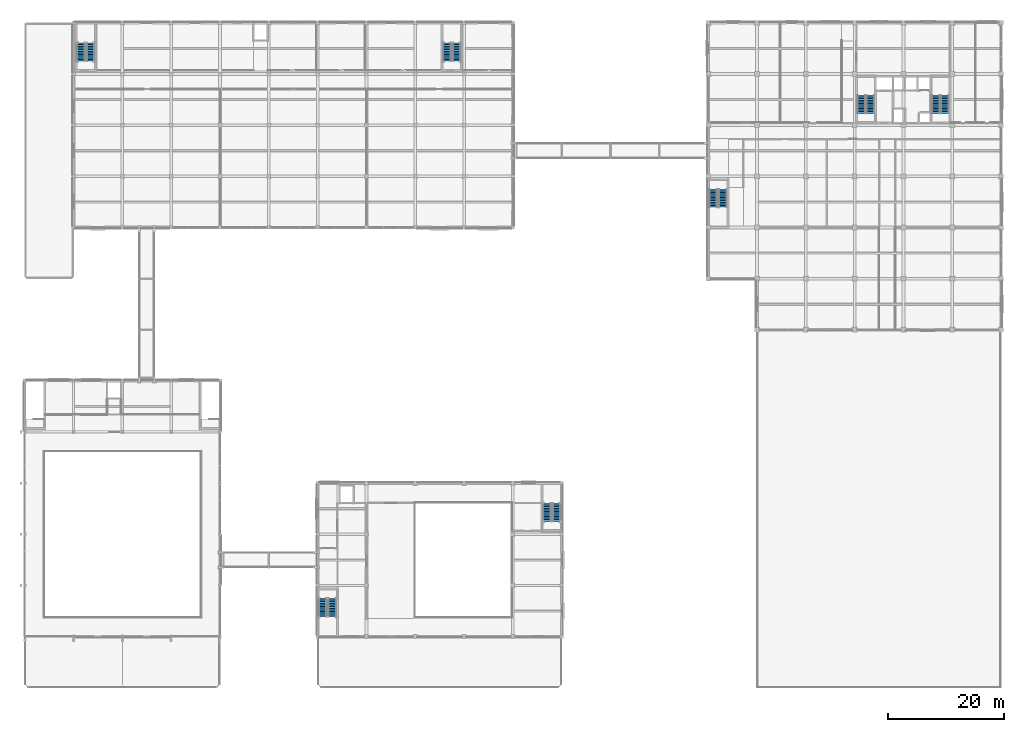
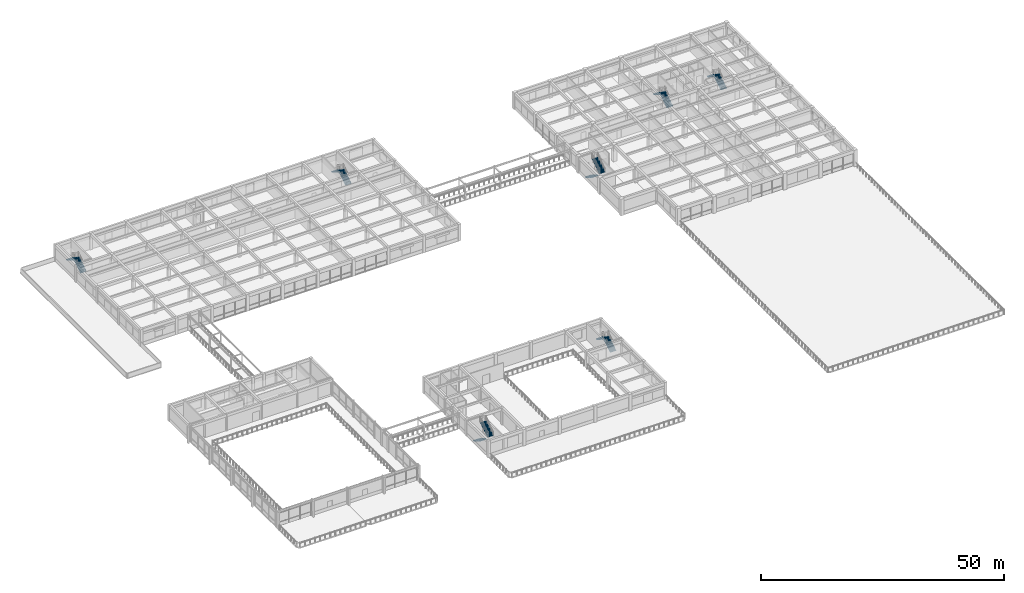
# One storey, part 41 of 57: 14 stair flights, 7 elements without a shape of their own.
"""IFC4 building model written with IfcOpenShell, lengths in metres."""

from ifc_helpers import new_model, si_unit, direction, frame, origin, place, context, subcontext, project, spatial, polyline, outline, extrude, material, type_object, element, aggregate, save


model = new_model("IFC4")

# Units and contexts
model_context = context("Model", 3, precision=1e-05, world=origin(), true_north=direction((0.0, 1.0)))
body_context = subcontext(model_context, "Body", "Model", "MODEL_VIEW")
ifc_project = project(units=[si_unit("LENGTHUNIT", "METRE"), si_unit("AREAUNIT", "SQUARE_METRE"), si_unit("VOLUMEUNIT", "CUBIC_METRE"), si_unit("PLANEANGLEUNIT", "RADIAN"), si_unit("MASSUNIT", "GRAM", prefix="KILO")], contexts=[model_context])

# Site, building, storey
site_placement = place(None, origin())
site = spatial("IfcSite", under=ifc_project, at=site_placement, CompositionType="ELEMENT")
building_placement = place(site_placement, origin())
building = spatial("IfcBuilding", under=site, at=building_placement, Name="Kemercrest Conservatory and Botanical Centre", CompositionType="ELEMENT")
storey_placement = place(building_placement, frame((0.0, 0.0, 4.800048828125)))
storey = spatial("IfcBuildingStorey", under=building, at=storey_placement, Name="L01", CompositionType="ELEMENT", Elevation=4.800048828125)

# Stair, stair flights
ifc_material = material(Name="Concrete C40/50", Category="concrete")
stair_type_1 = type_object("IfcStairType", Name="ST-140-42", PredefinedType="HALF_TURN_STAIR", material=ifc_material)
stair_1_placement = place(storey_placement, origin())
stair_1 = element("IfcStair", 1, at=stair_1_placement, inside=storey, type_object=stair_type_1, Name="L01 Exit stair ST-V2A", PredefinedType="HALF_TURN_STAIR")
stair_flight_type_1 = type_object("IfcStairFlightType", Name="FL-140-42", PredefinedType="STRAIGHT", material=ifc_material)
stair_flight_1_placement = place(storey_placement, frame((59.260009765625, 23.360107421875, 0.0), z_axis=(0.0, 0.0, 1.0), x_axis=(0.0, -1.0, 0.0)))
stair_flight_1 = element("IfcStairFlight", 2, at=stair_flight_1_placement, type_object=stair_flight_type_1, Name="ST-V2A flight 1", NumberOfRisers=12, NumberOfTreads=11, PredefinedType="STRAIGHT", RiserHeight=0.175, TreadLength=0.28, context=body_context, shape_type="SweptSolid", body=[
    extrude(outline(polyline([(0.0, 0.0), (0.0, 0.175048828125), (0.280029296875, 0.175048828125), (0.280029296875, 0.35009765625), (0.56005859375, 0.35009765625), (0.56005859375, 0.52490234375), (0.840087890625, 0.52490234375), (0.840087890625, 0.699951171875), (1.1201171875, 0.699951171875), (1.1201171875, 0.875), (1.39990234375, 0.875), (1.39990234375, 1.050048828125), (1.679931640625, 1.050048828125), (1.679931640625, 1.22509765625), (1.9599609375, 1.22509765625), (1.9599609375, 1.39990234375), (2.239990234375, 1.39990234375), (2.239990234375, 1.574951171875), (2.52001953125, 1.574951171875), (2.52001953125, 1.75), (2.800048828125, 1.75), (2.800048828125, 1.925048828125), (3.080078125, 1.925048828125), (3.080078125, 2.10009765625), (3.080078125, 1.748291015625), (0.28271484375, 0.0), (0.0, 0.0)])), frame((0.0, 0.699951171875, 0.0), z_axis=(0.0, -1.0, 0.0), x_axis=(1.0, 0.0, 0.0)), (0.0, 0.0, 1.0), 1.39990234375),
])
stair_flight_2_placement = place(storey_placement, frame((60.93994140625, 20.280029296875, 2.099853515625), z_axis=(0.0, 0.0, 1.0), x_axis=(0.0, 1.0, 0.0)))
stair_flight_2 = element("IfcStairFlight", 3, at=stair_flight_2_placement, type_object=stair_flight_type_1, Name="ST-V2A flight 2", NumberOfRisers=12, NumberOfTreads=11, PredefinedType="STRAIGHT", RiserHeight=0.175, TreadLength=0.28, context=body_context, shape_type="SweptSolid", body=[
    extrude(outline(polyline([(0.0, 0.0), (0.0, 0.175048828125), (0.280029296875, 0.175048828125), (0.280029296875, 0.35009765625), (0.56005859375, 0.35009765625), (0.56005859375, 0.52490234375), (0.840087890625, 0.52490234375), (0.840087890625, 0.699951171875), (1.1201171875, 0.699951171875), (1.1201171875, 0.875), (1.39990234375, 0.875), (1.39990234375, 1.050048828125), (1.679931640625, 1.050048828125), (1.679931640625, 1.22509765625), (1.9599609375, 1.22509765625), (1.9599609375, 1.39990234375), (2.239990234375, 1.39990234375), (2.239990234375, 1.574951171875), (2.52001953125, 1.574951171875), (2.52001953125, 1.75), (2.800048828125, 1.75), (2.800048828125, 1.925048828125), (3.080078125, 1.925048828125), (3.080078125, 2.10009765625), (3.080078125, 1.748291015625), (0.28271484375, 0.0), (0.0, 0.0)])), frame((0.0, 0.699951171875, 0.0), z_axis=(0.0, -1.0, 0.0), x_axis=(1.0, 0.0, 0.0)), (0.0, 0.0, 1.0), 1.39990234375),
])
aggregate(stair_1, [stair_flight_1, stair_flight_2])

stair_2_placement = place(storey_placement, origin())
stair_2 = element("IfcStair", 4, at=stair_2_placement, inside=storey, type_object=stair_type_1, Name="L01 Exit stair ST-V2B", PredefinedType="HALF_TURN_STAIR")
stair_flight_3_placement = place(storey_placement, frame((99.5400390625, 36.639892578125, 0.0), z_axis=(0.0, 0.0, 1.0), x_axis=(0.0, 1.0, 0.0)))
stair_flight_3 = element("IfcStairFlight", 5, at=stair_flight_3_placement, type_object=stair_flight_type_1, Name="ST-V2B flight 1", NumberOfRisers=12, NumberOfTreads=11, PredefinedType="STRAIGHT", RiserHeight=0.175, TreadLength=0.28, context=body_context, shape_type="SweptSolid", body=[
    extrude(outline(polyline([(0.0, 0.0), (0.0, 0.175048828125), (0.280029296875, 0.175048828125), (0.280029296875, 0.35009765625), (0.56005859375, 0.35009765625), (0.56005859375, 0.52490234375), (0.840087890625, 0.52490234375), (0.840087890625, 0.699951171875), (1.1201171875, 0.699951171875), (1.1201171875, 0.875), (1.39990234375, 0.875), (1.39990234375, 1.050048828125), (1.679931640625, 1.050048828125), (1.679931640625, 1.22509765625), (1.9599609375, 1.22509765625), (1.9599609375, 1.39990234375), (2.239990234375, 1.39990234375), (2.239990234375, 1.574951171875), (2.52001953125, 1.574951171875), (2.52001953125, 1.75), (2.800048828125, 1.75), (2.800048828125, 1.925048828125), (3.080078125, 1.925048828125), (3.080078125, 2.10009765625), (3.080078125, 1.748291015625), (0.28271484375, 0.0), (0.0, 0.0)])), frame((0.0, 0.699951171875, 0.0), z_axis=(0.0, -1.0, 0.0), x_axis=(1.0, 0.0, 0.0)), (0.0, 0.0, 1.0), 1.39990234375),
])
stair_flight_4_placement = place(storey_placement, frame((97.860107421875, 39.719970703125, 2.099853515625), z_axis=(0.0, 0.0, 1.0), x_axis=(0.0, -1.0, 0.0)))
stair_flight_4 = element("IfcStairFlight", 6, at=stair_flight_4_placement, type_object=stair_flight_type_1, Name="ST-V2B flight 2", NumberOfRisers=12, NumberOfTreads=11, PredefinedType="STRAIGHT", RiserHeight=0.175, TreadLength=0.28, context=body_context, shape_type="SweptSolid", body=[
    extrude(outline(polyline([(0.0, 0.0), (0.0, 0.175048828125), (0.280029296875, 0.175048828125), (0.280029296875, 0.35009765625), (0.56005859375, 0.35009765625), (0.56005859375, 0.52490234375), (0.840087890625, 0.52490234375), (0.840087890625, 0.699951171875), (1.1201171875, 0.699951171875), (1.1201171875, 0.875), (1.39990234375, 0.875), (1.39990234375, 1.050048828125), (1.679931640625, 1.050048828125), (1.679931640625, 1.22509765625), (1.9599609375, 1.22509765625), (1.9599609375, 1.39990234375), (2.239990234375, 1.39990234375), (2.239990234375, 1.574951171875), (2.52001953125, 1.574951171875), (2.52001953125, 1.75), (2.800048828125, 1.75), (2.800048828125, 1.925048828125), (3.080078125, 1.925048828125), (3.080078125, 2.10009765625), (3.080078125, 1.748291015625), (0.28271484375, 0.0), (0.0, 0.0)])), frame((0.0, 0.699951171875, 0.0), z_axis=(0.0, -1.0, 0.0), x_axis=(1.0, 0.0, 0.0)), (0.0, 0.0, 1.0), 1.39990234375),
])
aggregate(stair_2, [stair_flight_3, stair_flight_4])

stair_3_placement = place(storey_placement, origin())
stair_3 = element("IfcStair", 7, at=stair_3_placement, inside=storey, type_object=stair_type_1, Name="L01 Exit stair ST-V3A", PredefinedType="HALF_TURN_STAIR")
stair_flight_5_placement = place(storey_placement, frame((19.340087890625, 115.840087890625, 0.0), z_axis=(0.0, 0.0, 1.0), x_axis=(0.0, 1.0, 0.0)))
stair_flight_5 = element("IfcStairFlight", 8, at=stair_flight_5_placement, type_object=stair_flight_type_1, Name="ST-V3A flight 1", NumberOfRisers=12, NumberOfTreads=11, PredefinedType="STRAIGHT", RiserHeight=0.175, TreadLength=0.28, context=body_context, shape_type="SweptSolid", body=[
    extrude(outline(polyline([(0.0, 0.0), (0.0, 0.175048828125), (0.280029296875, 0.175048828125), (0.280029296875, 0.35009765625), (0.56005859375, 0.35009765625), (0.56005859375, 0.52490234375), (0.840087890625, 0.52490234375), (0.840087890625, 0.699951171875), (1.1201171875, 0.699951171875), (1.1201171875, 0.875), (1.39990234375, 0.875), (1.39990234375, 1.050048828125), (1.679931640625, 1.050048828125), (1.679931640625, 1.22509765625), (1.9599609375, 1.22509765625), (1.9599609375, 1.39990234375), (2.239990234375, 1.39990234375), (2.239990234375, 1.574951171875), (2.52001953125, 1.574951171875), (2.52001953125, 1.75), (2.800048828125, 1.75), (2.800048828125, 1.925048828125), (3.080078125, 1.925048828125), (3.080078125, 2.10009765625), (3.080078125, 1.748291015625), (0.28271484375, 0.0), (0.0, 0.0)])), frame((0.0, 0.699951171875, 0.0), z_axis=(0.0, -1.0, 0.0), x_axis=(1.0, 0.0, 0.0)), (0.0, 0.0, 1.0), 1.39990234375),
])
stair_flight_6_placement = place(storey_placement, frame((17.659912109375, 118.919921875, 2.099853515625), z_axis=(0.0, 0.0, 1.0), x_axis=(0.0, -1.0, 0.0)))
stair_flight_6 = element("IfcStairFlight", 9, at=stair_flight_6_placement, type_object=stair_flight_type_1, Name="ST-V3A flight 2", NumberOfRisers=12, NumberOfTreads=11, PredefinedType="STRAIGHT", RiserHeight=0.175, TreadLength=0.28, context=body_context, shape_type="SweptSolid", body=[
    extrude(outline(polyline([(0.0, 0.0), (0.0, 0.175048828125), (0.280029296875, 0.175048828125), (0.280029296875, 0.35009765625), (0.56005859375, 0.35009765625), (0.56005859375, 0.52490234375), (0.840087890625, 0.52490234375), (0.840087890625, 0.699951171875), (1.1201171875, 0.699951171875), (1.1201171875, 0.875), (1.39990234375, 0.875), (1.39990234375, 1.050048828125), (1.679931640625, 1.050048828125), (1.679931640625, 1.22509765625), (1.9599609375, 1.22509765625), (1.9599609375, 1.39990234375), (2.239990234375, 1.39990234375), (2.239990234375, 1.574951171875), (2.52001953125, 1.574951171875), (2.52001953125, 1.75), (2.800048828125, 1.75), (2.800048828125, 1.925048828125), (3.080078125, 1.925048828125), (3.080078125, 2.10009765625), (3.080078125, 1.748291015625), (0.28271484375, 0.0), (0.0, 0.0)])), frame((0.0, 0.699951171875, 0.0), z_axis=(0.0, -1.0, 0.0), x_axis=(1.0, 0.0, 0.0)), (0.0, 0.0, 1.0), 1.39990234375),
])
aggregate(stair_3, [stair_flight_5, stair_flight_6])

stair_4_placement = place(storey_placement, origin())
stair_4 = element("IfcStair", 10, at=stair_4_placement, inside=storey, type_object=stair_type_1, Name="L01 Exit stair ST-V3B", PredefinedType="HALF_TURN_STAIR")
stair_flight_7_placement = place(storey_placement, frame((82.340087890625, 115.840087890625, 0.0), z_axis=(0.0, 0.0, 1.0), x_axis=(0.0, 1.0, 0.0)))
stair_flight_7 = element("IfcStairFlight", 11, at=stair_flight_7_placement, type_object=stair_flight_type_1, Name="ST-V3B flight 1", NumberOfRisers=12, NumberOfTreads=11, PredefinedType="STRAIGHT", RiserHeight=0.175, TreadLength=0.28, context=body_context, shape_type="SweptSolid", body=[
    extrude(outline(polyline([(0.0, 0.0), (0.0, 0.175048828125), (0.280029296875, 0.175048828125), (0.280029296875, 0.35009765625), (0.56005859375, 0.35009765625), (0.56005859375, 0.52490234375), (0.840087890625, 0.52490234375), (0.840087890625, 0.699951171875), (1.1201171875, 0.699951171875), (1.1201171875, 0.875), (1.39990234375, 0.875), (1.39990234375, 1.050048828125), (1.679931640625, 1.050048828125), (1.679931640625, 1.22509765625), (1.9599609375, 1.22509765625), (1.9599609375, 1.39990234375), (2.239990234375, 1.39990234375), (2.239990234375, 1.574951171875), (2.52001953125, 1.574951171875), (2.52001953125, 1.75), (2.800048828125, 1.75), (2.800048828125, 1.925048828125), (3.080078125, 1.925048828125), (3.080078125, 2.10009765625), (3.080078125, 1.748291015625), (0.28271484375, 0.0), (0.0, 0.0)])), frame((0.0, 0.699951171875, 0.0), z_axis=(0.0, -1.0, 0.0), x_axis=(1.0, 0.0, 0.0)), (0.0, 0.0, 1.0), 1.39990234375),
])
stair_flight_8_placement = place(storey_placement, frame((80.659912109375, 118.919921875, 2.099853515625), z_axis=(0.0, 0.0, 1.0), x_axis=(0.0, -1.0, 0.0)))
stair_flight_8 = element("IfcStairFlight", 12, at=stair_flight_8_placement, type_object=stair_flight_type_1, Name="ST-V3B flight 2", NumberOfRisers=12, NumberOfTreads=11, PredefinedType="STRAIGHT", RiserHeight=0.175, TreadLength=0.28, context=body_context, shape_type="SweptSolid", body=[
    extrude(outline(polyline([(0.0, 0.0), (0.0, 0.175048828125), (0.280029296875, 0.175048828125), (0.280029296875, 0.35009765625), (0.56005859375, 0.35009765625), (0.56005859375, 0.52490234375), (0.840087890625, 0.52490234375), (0.840087890625, 0.699951171875), (1.1201171875, 0.699951171875), (1.1201171875, 0.875), (1.39990234375, 0.875), (1.39990234375, 1.050048828125), (1.679931640625, 1.050048828125), (1.679931640625, 1.22509765625), (1.9599609375, 1.22509765625), (1.9599609375, 1.39990234375), (2.239990234375, 1.39990234375), (2.239990234375, 1.574951171875), (2.52001953125, 1.574951171875), (2.52001953125, 1.75), (2.800048828125, 1.75), (2.800048828125, 1.925048828125), (3.080078125, 1.925048828125), (3.080078125, 2.10009765625), (3.080078125, 1.748291015625), (0.28271484375, 0.0), (0.0, 0.0)])), frame((0.0, 0.699951171875, 0.0), z_axis=(0.0, -1.0, 0.0), x_axis=(1.0, 0.0, 0.0)), (0.0, 0.0, 1.0), 1.39990234375),
])
aggregate(stair_4, [stair_flight_7, stair_flight_8])

stair_5_placement = place(storey_placement, origin())
stair_5 = element("IfcStair", 13, at=stair_5_placement, inside=storey, type_object=stair_type_1, Name="L01 Exit stair ST-V4C", PredefinedType="HALF_TURN_STAIR")
stair_flight_9_placement = place(storey_placement, frame((126.4599609375, 93.760009765625, 0.0), z_axis=(0.0, 0.0, 1.0), x_axis=(0.0, -1.0, 0.0)))
stair_flight_9 = element("IfcStairFlight", 14, at=stair_flight_9_placement, type_object=stair_flight_type_1, Name="ST-V4C flight 1", NumberOfRisers=12, NumberOfTreads=11, PredefinedType="STRAIGHT", RiserHeight=0.175, TreadLength=0.28, context=body_context, shape_type="SweptSolid", body=[
    extrude(outline(polyline([(0.0, 0.0), (0.0, 0.175048828125), (0.280029296875, 0.175048828125), (0.280029296875, 0.35009765625), (0.56005859375, 0.35009765625), (0.56005859375, 0.52490234375), (0.840087890625, 0.52490234375), (0.840087890625, 0.699951171875), (1.1201171875, 0.699951171875), (1.1201171875, 0.875), (1.39990234375, 0.875), (1.39990234375, 1.050048828125), (1.679931640625, 1.050048828125), (1.679931640625, 1.22509765625), (1.9599609375, 1.22509765625), (1.9599609375, 1.39990234375), (2.239990234375, 1.39990234375), (2.239990234375, 1.574951171875), (2.52001953125, 1.574951171875), (2.52001953125, 1.75), (2.800048828125, 1.75), (2.800048828125, 1.925048828125), (3.080078125, 1.925048828125), (3.080078125, 2.10009765625), (3.080078125, 1.748291015625), (0.28271484375, 0.0), (0.0, 0.0)])), frame((0.0, 0.699951171875, 0.0), z_axis=(0.0, -1.0, 0.0), x_axis=(1.0, 0.0, 0.0)), (0.0, 0.0, 1.0), 1.39990234375),
])
stair_flight_10_placement = place(storey_placement, frame((128.139892578125, 90.679931640625, 2.099853515625), z_axis=(0.0, 0.0, 1.0), x_axis=(0.0, 1.0, 0.0)))
stair_flight_10 = element("IfcStairFlight", 15, at=stair_flight_10_placement, type_object=stair_flight_type_1, Name="ST-V4C flight 2", NumberOfRisers=12, NumberOfTreads=11, PredefinedType="STRAIGHT", RiserHeight=0.175, TreadLength=0.28, context=body_context, shape_type="SweptSolid", body=[
    extrude(outline(polyline([(0.0, 0.0), (0.0, 0.175048828125), (0.280029296875, 0.175048828125), (0.280029296875, 0.35009765625), (0.56005859375, 0.35009765625), (0.56005859375, 0.52490234375), (0.840087890625, 0.52490234375), (0.840087890625, 0.699951171875), (1.1201171875, 0.699951171875), (1.1201171875, 0.875), (1.39990234375, 0.875), (1.39990234375, 1.050048828125), (1.679931640625, 1.050048828125), (1.679931640625, 1.22509765625), (1.9599609375, 1.22509765625), (1.9599609375, 1.39990234375), (2.239990234375, 1.39990234375), (2.239990234375, 1.574951171875), (2.52001953125, 1.574951171875), (2.52001953125, 1.75), (2.800048828125, 1.75), (2.800048828125, 1.925048828125), (3.080078125, 1.925048828125), (3.080078125, 2.10009765625), (3.080078125, 1.748291015625), (0.28271484375, 0.0), (0.0, 0.0)])), frame((0.0, 0.699951171875, 0.0), z_axis=(0.0, -1.0, 0.0), x_axis=(1.0, 0.0, 0.0)), (0.0, 0.0, 1.0), 1.39990234375),
])
aggregate(stair_5, [stair_flight_9, stair_flight_10])

stair_type_2 = type_object("IfcStairType", Name="ST-142-42", PredefinedType="HALF_TURN_STAIR", material=ifc_material)
stair_6_placement = place(storey_placement, origin())
stair_6 = element("IfcStair", 16, at=stair_6_placement, inside=storey, type_object=stair_type_2, Name="L01 Exit stair ST-V4A", PredefinedType="HALF_TURN_STAIR")
stair_flight_type_2 = type_object("IfcStairFlightType", Name="FL-142-42", PredefinedType="STRAIGHT", material=ifc_material)
stair_flight_11_placement = place(storey_placement, frame((153.530029296875, 106.840087890625, 0.0), z_axis=(0.0, 0.0, 1.0), x_axis=(0.0, 1.0, 0.0)))
stair_flight_11 = element("IfcStairFlight", 17, at=stair_flight_11_placement, type_object=stair_flight_type_2, Name="ST-V4A flight 1", NumberOfRisers=12, NumberOfTreads=11, PredefinedType="STRAIGHT", RiserHeight=0.175, TreadLength=0.28, context=body_context, shape_type="SweptSolid", body=[
    extrude(outline(polyline([(0.0, 0.0), (0.0, 0.175048828125), (0.280029296875, 0.175048828125), (0.280029296875, 0.35009765625), (0.56005859375, 0.35009765625), (0.56005859375, 0.52490234375), (0.840087890625, 0.52490234375), (0.840087890625, 0.699951171875), (1.1201171875, 0.699951171875), (1.1201171875, 0.875), (1.39990234375, 0.875), (1.39990234375, 1.050048828125), (1.679931640625, 1.050048828125), (1.679931640625, 1.22509765625), (1.9599609375, 1.22509765625), (1.9599609375, 1.39990234375), (2.239990234375, 1.39990234375), (2.239990234375, 1.574951171875), (2.52001953125, 1.574951171875), (2.52001953125, 1.75), (2.800048828125, 1.75), (2.800048828125, 1.925048828125), (3.080078125, 1.925048828125), (3.080078125, 2.10009765625), (3.080078125, 1.748291015625), (0.28271484375, 0.0), (0.0, 0.0)])), frame((0.0, 0.7099609375, 0.0), z_axis=(0.0, -1.0, 0.0), x_axis=(1.0, 0.0, 0.0)), (0.0, 0.0, 1.0), 1.419921875),
])
stair_flight_12_placement = place(storey_placement, frame((151.969970703125, 109.919921875, 2.099853515625), z_axis=(0.0, 0.0, 1.0), x_axis=(0.0, -1.0, 0.0)))
stair_flight_12 = element("IfcStairFlight", 18, at=stair_flight_12_placement, type_object=stair_flight_type_2, Name="ST-V4A flight 2", NumberOfRisers=12, NumberOfTreads=11, PredefinedType="STRAIGHT", RiserHeight=0.175, TreadLength=0.28, context=body_context, shape_type="SweptSolid", body=[
    extrude(outline(polyline([(0.0, 0.0), (0.0, 0.175048828125), (0.280029296875, 0.175048828125), (0.280029296875, 0.35009765625), (0.56005859375, 0.35009765625), (0.56005859375, 0.52490234375), (0.840087890625, 0.52490234375), (0.840087890625, 0.699951171875), (1.1201171875, 0.699951171875), (1.1201171875, 0.875), (1.39990234375, 0.875), (1.39990234375, 1.050048828125), (1.679931640625, 1.050048828125), (1.679931640625, 1.22509765625), (1.9599609375, 1.22509765625), (1.9599609375, 1.39990234375), (2.239990234375, 1.39990234375), (2.239990234375, 1.574951171875), (2.52001953125, 1.574951171875), (2.52001953125, 1.75), (2.800048828125, 1.75), (2.800048828125, 1.925048828125), (3.080078125, 1.925048828125), (3.080078125, 2.10009765625), (3.080078125, 1.748291015625), (0.28271484375, 0.0), (0.0, 0.0)])), frame((0.0, 0.7099609375, 0.0), z_axis=(0.0, -1.0, 0.0), x_axis=(1.0, 0.0, 0.0)), (0.0, 0.0, 1.0), 1.419921875),
])
aggregate(stair_6, [stair_flight_11, stair_flight_12])

stair_7_placement = place(storey_placement, origin())
stair_7 = element("IfcStair", 19, at=stair_7_placement, inside=storey, type_object=stair_type_2, Name="L01 Exit stair ST-V4B", PredefinedType="HALF_TURN_STAIR")
stair_flight_13_placement = place(storey_placement, frame((166.330078125, 106.840087890625, 0.0), z_axis=(0.0, 0.0, 1.0), x_axis=(0.0, 1.0, 0.0)))
stair_flight_13 = element("IfcStairFlight", 20, at=stair_flight_13_placement, type_object=stair_flight_type_2, Name="ST-V4B flight 1", NumberOfRisers=12, NumberOfTreads=11, PredefinedType="STRAIGHT", RiserHeight=0.175, TreadLength=0.28, context=body_context, shape_type="SweptSolid", body=[
    extrude(outline(polyline([(0.0, 0.0), (0.0, 0.175048828125), (0.280029296875, 0.175048828125), (0.280029296875, 0.35009765625), (0.56005859375, 0.35009765625), (0.56005859375, 0.52490234375), (0.840087890625, 0.52490234375), (0.840087890625, 0.699951171875), (1.1201171875, 0.699951171875), (1.1201171875, 0.875), (1.39990234375, 0.875), (1.39990234375, 1.050048828125), (1.679931640625, 1.050048828125), (1.679931640625, 1.22509765625), (1.9599609375, 1.22509765625), (1.9599609375, 1.39990234375), (2.239990234375, 1.39990234375), (2.239990234375, 1.574951171875), (2.52001953125, 1.574951171875), (2.52001953125, 1.75), (2.800048828125, 1.75), (2.800048828125, 1.925048828125), (3.080078125, 1.925048828125), (3.080078125, 2.10009765625), (3.080078125, 1.748291015625), (0.28271484375, 0.0), (0.0, 0.0)])), frame((0.0, 0.7099609375, 0.0), z_axis=(0.0, -1.0, 0.0), x_axis=(1.0, 0.0, 0.0)), (0.0, 0.0, 1.0), 1.419921875),
])
stair_flight_14_placement = place(storey_placement, frame((164.77001953125, 109.919921875, 2.099853515625), z_axis=(0.0, 0.0, 1.0), x_axis=(0.0, -1.0, 0.0)))
stair_flight_14 = element("IfcStairFlight", 21, at=stair_flight_14_placement, type_object=stair_flight_type_2, Name="ST-V4B flight 2", NumberOfRisers=12, NumberOfTreads=11, PredefinedType="STRAIGHT", RiserHeight=0.175, TreadLength=0.28, context=body_context, shape_type="SweptSolid", body=[
    extrude(outline(polyline([(0.0, 0.0), (0.0, 0.175048828125), (0.280029296875, 0.175048828125), (0.280029296875, 0.35009765625), (0.56005859375, 0.35009765625), (0.56005859375, 0.52490234375), (0.840087890625, 0.52490234375), (0.840087890625, 0.699951171875), (1.1201171875, 0.699951171875), (1.1201171875, 0.875), (1.39990234375, 0.875), (1.39990234375, 1.050048828125), (1.679931640625, 1.050048828125), (1.679931640625, 1.22509765625), (1.9599609375, 1.22509765625), (1.9599609375, 1.39990234375), (2.239990234375, 1.39990234375), (2.239990234375, 1.574951171875), (2.52001953125, 1.574951171875), (2.52001953125, 1.75), (2.800048828125, 1.75), (2.800048828125, 1.925048828125), (3.080078125, 1.925048828125), (3.080078125, 2.10009765625), (3.080078125, 1.748291015625), (0.28271484375, 0.0), (0.0, 0.0)])), frame((0.0, 0.7099609375, 0.0), z_axis=(0.0, -1.0, 0.0), x_axis=(1.0, 0.0, 0.0)), (0.0, 0.0, 1.0), 1.419921875),
])
aggregate(stair_7, [stair_flight_13, stair_flight_14])

save(model, "model.ifc")
